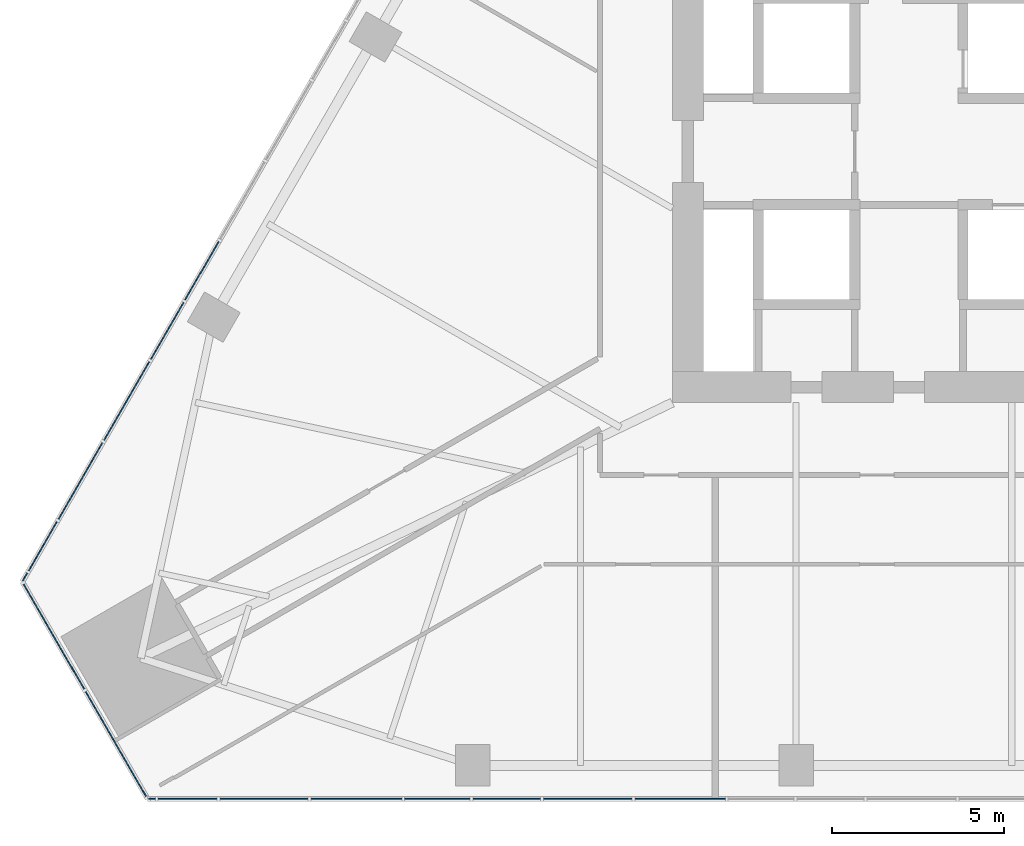
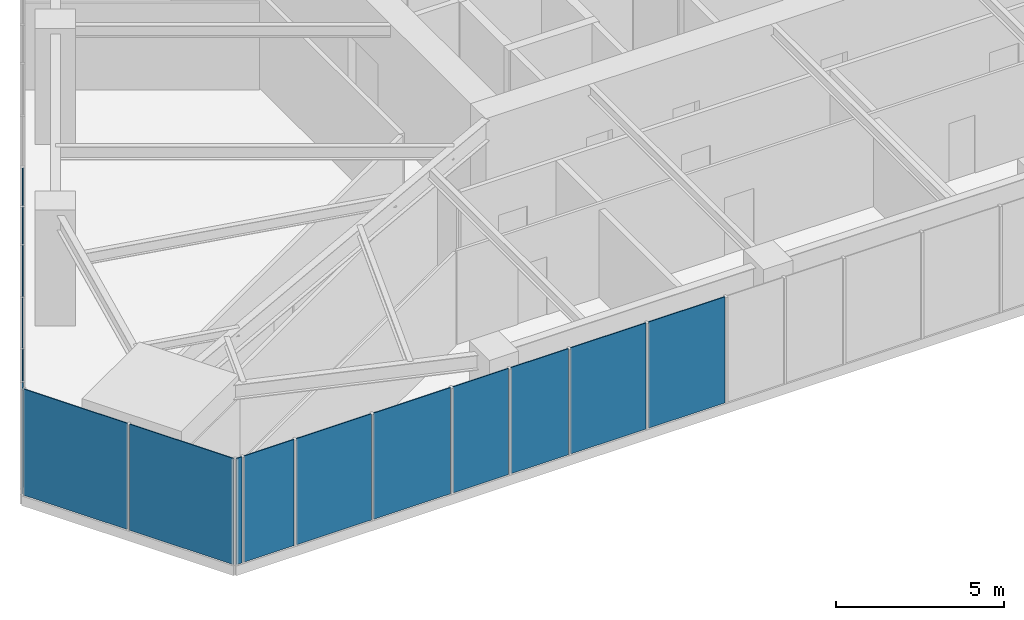
# One storey, part 11 of 21: 16 plates, 3 elements without a shape of their own.
"""IFC4 building model written with IfcOpenShell, lengths in metres."""

from ifc_helpers import new_model, si_unit, direction, frame, origin, place, context, subcontext, project, spatial, polyline, outline, extrude, material, layer, layer_set, type_object, element, aggregate, save


model = new_model("IFC4")

# Units and contexts
model_context = context("Model", 3, precision=1e-05, world=origin(), true_north=direction((0.0, 1.0)))
body_context = subcontext(model_context, "Body", "Model", "MODEL_VIEW")
ifc_project = project(units=[si_unit("LENGTHUNIT", "METRE"), si_unit("AREAUNIT", "SQUARE_METRE"), si_unit("VOLUMEUNIT", "CUBIC_METRE"), si_unit("PLANEANGLEUNIT", "RADIAN"), si_unit("MASSUNIT", "GRAM", prefix="KILO")], contexts=[model_context])

# Site, building, storey
site_placement = place(None, origin())
site = spatial("IfcSite", under=ifc_project, at=site_placement, CompositionType="ELEMENT")
building_placement = place(site_placement, origin())
building = spatial("IfcBuilding", under=site, at=building_placement, Name="Firuza Gate Tower and Library", CompositionType="ELEMENT")
storey_placement = place(building_placement, frame((0.0, 0.0, 98.800048828125)))
storey = spatial("IfcBuildingStorey", under=building, at=storey_placement, Name="L22", CompositionType="ELEMENT", Elevation=98.800048828125)

# Curtain wall, plates
ifc_material_1 = material(Name="Aluminium 6063-T6", Category="aluminium")
ifc_layer_1 = layer(ifc_material_1, 0.14990234375)
ifc_layer_set_1 = layer_set([ifc_layer_1], Name="Corner curtain wall, chamfers")
curtain_wall_type_1 = type_object("IfcCurtainWallType", Name="Corner curtain wall, chamfers", PredefinedType="NOTDEFINED", material=ifc_layer_set_1)
placement = place(storey_placement, origin())
curtain_wall_1 = element("IfcCurtainWall", 1, at=placement, inside=storey, type_object=curtain_wall_type_1, Name="CW4 L22 SW corner", PredefinedType="NOTDEFINED")
ifc_material_2 = material(Name="Fritted glass", Category="glass")
ifc_layer_2 = layer(ifc_material_2, 0.030029296875)
ifc_layer_set_2 = layer_set([ifc_layer_2], Name="Fritted glass unit, corners")
plate_type_1 = type_object("IfcPlateType", Name="Fritted glass unit, corners", PredefinedType="CURTAIN_PANEL", material=ifc_layer_set_2)
plate_1_placement = place(storey_placement, frame((43.1103515625, 60.749267578125, 0.14990234375), z_axis=(-0.866046390552, -0.49996364809, 0.0), x_axis=(0.49996364809, -0.866046390552, 0.0)))
plate_1 = element("IfcPlate", 2, at=plate_1_placement, type_object=plate_type_1, Name="Glass unit", PredefinedType="CURTAIN_PANEL", context=body_context, shape_type="SweptSolid", body=[
    extrude(outline(polyline([(0.0, 0.0), (3.563247342942594, 0.0), (3.563247342942594, 3.85009765625), (0.0, 3.85009765625), (0.0, 0.0)])), origin(), (0.0, 0.0, -1.0), 0.030029296875),
])
plate_2_placement = place(storey_placement, frame((44.931884765625, 57.593994140625, 0.14990234375), z_axis=(-0.866016723041, -0.500015035186, 0.0), x_axis=(0.500015035186, -0.866016723041, 0.0)))
plate_2 = element("IfcPlate", 3, at=plate_2_placement, type_object=plate_type_1, Name="Glass unit", PredefinedType="CURTAIN_PANEL", context=body_context, shape_type="SweptSolid", body=[
    extrude(outline(polyline([(0.0, 0.0), (3.5633694106530625, 0.0), (3.5633694106530625, 3.85009765625), (0.0, 3.85009765625), (0.0, 0.0)])), origin(), (0.0, 0.0, -1.0), 0.030029296875),
])
aggregate(curtain_wall_1, [plate_1, plate_2])

ifc_material_3 = material(Name="Aluminium 6063-T6", Category="aluminium")
ifc_layer_3 = layer(ifc_material_3, 0.14990234375)
ifc_layer_set_3 = layer_set([ifc_layer_3], Name="Unitised curtain wall, offices")
curtain_wall_type_2 = type_object("IfcCurtainWallType", Name="Unitised curtain wall, offices", PredefinedType="NOTDEFINED", material=ifc_layer_set_3)
curtain_wall_2 = element("IfcCurtainWall", 4, at=placement, inside=storey, type_object=curtain_wall_type_2, Name="CW1 L22 S face", PredefinedType="NOTDEFINED")
ifc_material_4 = material(Name="Fritted glass", Category="glass")
ifc_layer_4 = layer(ifc_material_4, 0.030029296875)
ifc_layer_set_4 = layer_set([ifc_layer_4], Name="Fritted glass unit, offices")
plate_type_2 = type_object("IfcPlateType", Name="Fritted glass unit, offices", PredefinedType="CURTAIN_PANEL", material=ifc_layer_set_4)
plate_3_placement = place(storey_placement, frame((47.052734375, 54.466064453125, 0.14990234375), z_axis=(0.0, -1.0, 0.0), x_axis=(1.0, 0.0, 0.0)))
plate_3 = element("IfcPlate", 5, at=plate_3_placement, type_object=plate_type_2, Name="Glass unit", PredefinedType="CURTAIN_PANEL", context=body_context, shape_type="SweptSolid", body=[
    extrude(outline(polyline([(0.0, 0.0), (1.7138671875, 0.0), (1.7138671875, 3.85009765625), (0.0, 3.85009765625), (0.0, 0.0)])), origin(), (0.0, 0.0, -1.0), 0.030029296875),
])
plate_4_placement = place(storey_placement, frame((54.216552734375, 54.466064453125, 0.14990234375), z_axis=(0.0, -1.0, 0.0), x_axis=(1.0, 0.0, 0.0)))
plate_4 = element("IfcPlate", 6, at=plate_4_placement, type_object=plate_type_2, Name="Glass unit", PredefinedType="CURTAIN_PANEL", context=body_context, shape_type="SweptSolid", body=[
    extrude(outline(polyline([(0.0, 0.0), (1.907958984375, 0.0), (1.907958984375, 3.85009765625), (0.0, 3.85009765625), (0.0, 0.0)])), origin(), (0.0, 0.0, -1.0), 0.030029296875),
])
plate_5_placement = place(storey_placement, frame((56.204345703125, 54.466064453125, 0.14990234375), z_axis=(0.0, -1.0, 0.0), x_axis=(1.0, 0.0, 0.0)))
plate_5 = element("IfcPlate", 7, at=plate_5_placement, type_object=plate_type_2, Name="Glass unit", PredefinedType="CURTAIN_PANEL", context=body_context, shape_type="SweptSolid", body=[
    extrude(outline(polyline([(0.0, 0.0), (1.965576171875, 0.0), (1.965576171875, 3.85009765625), (0.0, 3.85009765625), (0.0, 0.0)])), origin(), (0.0, 0.0, -1.0), 0.030029296875),
])

curtain_wall_3 = element("IfcCurtainWall", 8, at=placement, inside=storey, type_object=curtain_wall_type_2, Name="CW1 L22 W face", PredefinedType="NOTDEFINED")
plate_6_placement = place(storey_placement, frame((48.802001953125, 70.691650390625, 0.14990234375), z_axis=(-0.865987003449, 0.500066505434, 0.0), x_axis=(-0.500066505434, -0.865987003449, 0.0)))
plate_6 = element("IfcPlate", 9, at=plate_6_placement, type_object=plate_type_2, Name="Glass unit", PredefinedType="CURTAIN_PANEL", context=body_context, shape_type="SweptSolid", body=[
    extrude(outline(polyline([(0.0, 0.0), (1.9655588718079882, 0.0), (1.9655588718079882, 3.85009765625), (0.0, 3.85009765625), (0.0, 0.0)])), origin(), (0.0, 0.0, -1.0), 0.030029296875),
])
plate_7_placement = place(storey_placement, frame((47.779296875, 68.920166015625, 0.14990234375), z_axis=(-0.865966066279, 0.500102761493, 0.0), x_axis=(-0.500102761493, -0.865966066279, 0.0)))
plate_7 = element("IfcPlate", 10, at=plate_7_placement, type_object=plate_type_2, Name="Glass unit", PredefinedType="CURTAIN_PANEL", context=body_context, shape_type="SweptSolid", body=[
    extrude(outline(polyline([(0.0, 0.0), (1.9078110259829113, 0.0), (1.9078110259829113, 3.85009765625), (0.0, 3.85009765625), (0.0, 0.0)])), origin(), (0.0, 0.0, -1.0), 0.030029296875),
])
plate_8_placement = place(storey_placement, frame((44.100341796875, 62.548095703125, 0.14990234375), z_axis=(-0.865983361098, 0.500072813, 0.0), x_axis=(-0.500072813, -0.865983361098, 0.0)))
plate_8 = element("IfcPlate", 11, at=plate_8_placement, type_object=plate_type_2, Name="Glass unit", PredefinedType="CURTAIN_PANEL", context=body_context, shape_type="SweptSolid", body=[
    extrude(outline(polyline([(0.0, 0.0), (1.6486856897463418, 0.0), (1.6486856897463418, 3.85009765625), (0.0, 3.85009765625), (0.0, 0.0)])), origin(), (0.0, 0.0, -1.0), 0.030029296875),
])

# Plate
ifc_material_5 = material(Name="Glazed ceramic tile")
ifc_layer_5 = layer(ifc_material_5, 0.030029296875)
ifc_layer_set_5 = layer_set([ifc_layer_5], Name="Opaque ceramic panel, offices")
plate_type_3 = type_object("IfcPlateType", Name="Opaque ceramic panel, offices", PredefinedType="CURTAIN_PANEL", material=ifc_layer_set_5)
plate_9_placement = place(storey_placement, frame((46.78662109375, 54.466064453125, 0.14990234375), z_axis=(0.0, -1.0, 0.0), x_axis=(1.0, 0.0, 0.0)))
plate_9 = element("IfcPlate", 12, at=plate_9_placement, type_object=plate_type_3, Name="Opaque ceramic panel", PredefinedType="CURTAIN_PANEL", context=body_context, shape_type="SweptSolid", body=[
    extrude(outline(polyline([(0.0, 0.0), (0.18603515625, 0.0), (0.18603515625, 3.85009765625), (0.0, 3.85009765625), (0.0, 0.0)])), origin(), (0.0, 0.0, -1.0), 0.030029296875),
])

plate_10_placement = place(storey_placement, frame((48.8466796875, 54.466064453125, 0.14990234375), z_axis=(0.0, -1.0, 0.0), x_axis=(1.0, 0.0, 0.0)))
plate_10 = element("IfcPlate", 13, at=plate_10_placement, type_object=plate_type_3, Name="Opaque ceramic panel", PredefinedType="CURTAIN_PANEL", context=body_context, shape_type="SweptSolid", body=[
    extrude(outline(polyline([(0.0, 0.0), (2.56884765625, 0.0), (2.56884765625, 3.85009765625), (0.0, 3.85009765625), (0.0, 0.0)])), origin(), (0.0, 0.0, -1.0), 0.030029296875),
])

plate_11_placement = place(storey_placement, frame((51.49560546875, 54.466064453125, 0.14990234375), z_axis=(0.0, -1.0, 0.0), x_axis=(1.0, 0.0, 0.0)))
plate_11 = element("IfcPlate", 14, at=plate_11_placement, type_object=plate_type_3, Name="Opaque ceramic panel", PredefinedType="CURTAIN_PANEL", context=body_context, shape_type="SweptSolid", body=[
    extrude(outline(polyline([(0.0, 0.0), (2.640869140625, 0.0), (2.640869140625, 3.85009765625), (0.0, 3.85009765625), (0.0, 0.0)])), origin(), (0.0, 0.0, -1.0), 0.030029296875),
])

plate_12_placement = place(storey_placement, frame((58.25, 54.466064453125, 0.14990234375), z_axis=(0.0, -1.0, 0.0), x_axis=(1.0, 0.0, 0.0)))
plate_12 = element("IfcPlate", 15, at=plate_12_placement, type_object=plate_type_3, Name="Opaque ceramic panel", PredefinedType="CURTAIN_PANEL", context=body_context, shape_type="SweptSolid", body=[
    extrude(outline(polyline([(0.0, 0.0), (2.583251953125, 0.0), (2.583251953125, 3.85009765625), (0.0, 3.85009765625), (0.0, 0.0)])), origin(), (0.0, 0.0, -1.0), 0.030029296875),
])

plate_13_placement = place(storey_placement, frame((60.913330078125, 54.466064453125, 0.14990234375), z_axis=(0.0, -1.0, 0.0), x_axis=(1.0, 0.0, 0.0)))
plate_13 = element("IfcPlate", 16, at=plate_13_placement, type_object=plate_type_3, Name="Opaque ceramic panel", PredefinedType="CURTAIN_PANEL", context=body_context, shape_type="SweptSolid", body=[
    extrude(outline(polyline([(0.0, 0.0), (2.626708984375, 0.0), (2.626708984375, 3.85009765625), (0.0, 3.85009765625), (0.0, 0.0)])), origin(), (0.0, 0.0, -1.0), 0.030029296875),
])

aggregate(curtain_wall_2, [plate_9, plate_3, plate_10, plate_11, plate_4, plate_5, plate_12, plate_13])

plate_14_placement = place(storey_placement, frame((46.785400390625, 67.19873046875, 0.14990234375), z_axis=(-0.866010085082, 0.500026531833, 0.0), x_axis=(-0.500026531833, -0.866010085082, 0.0)))
plate_14 = element("IfcPlate", 17, at=plate_14_placement, type_object=plate_type_3, Name="Opaque ceramic panel", PredefinedType="CURTAIN_PANEL", context=body_context, shape_type="SweptSolid", body=[
    extrude(outline(polyline([(0.0, 0.0), (2.64097314153546, 0.0), (2.64097314153546, 3.85009765625), (0.0, 3.85009765625), (0.0, 0.0)])), origin(), (0.0, 0.0, -1.0), 0.030029296875),
])

plate_15_placement = place(storey_placement, frame((45.4248046875, 64.84228515625, 0.14990234375), z_axis=(-0.866041575714, 0.49997198835, 0.0), x_axis=(-0.49997198835, -0.866041575714, 0.0)))
plate_15 = element("IfcPlate", 18, at=plate_15_placement, type_object=plate_type_3, Name="Opaque ceramic panel", PredefinedType="CURTAIN_PANEL", context=body_context, shape_type="SweptSolid", body=[
    extrude(outline(polyline([(0.0, 0.0), (2.568991579636687, 0.0), (2.568991579636687, 3.85009765625), (0.0, 3.85009765625), (0.0, 0.0)])), origin(), (0.0, 0.0, -1.0), 0.030029296875),
])

plate_16_placement = place(storey_placement, frame((43.23583984375, 61.051025390625, 0.14990234375), z_axis=(-0.866201770413, 0.499694399542, 0.0), x_axis=(-0.499694399542, -0.866201770413, 0.0)))
plate_16 = element("IfcPlate", 19, at=plate_16_placement, type_object=plate_type_3, Name="Opaque ceramic panel", PredefinedType="CURTAIN_PANEL", context=body_context, shape_type="SweptSolid", body=[
    extrude(outline(polyline([(0.0, 0.0), (0.25113005341856437, 0.0), (0.25113005341856437, 3.85009765625), (0.0, 3.85009765625), (0.0, 0.0)])), origin(), (0.0, 0.0, -1.0), 0.030029296875),
])

aggregate(curtain_wall_3, [plate_6, plate_7, plate_14, plate_15, plate_8, plate_16])

save(model, "model.ifc")
